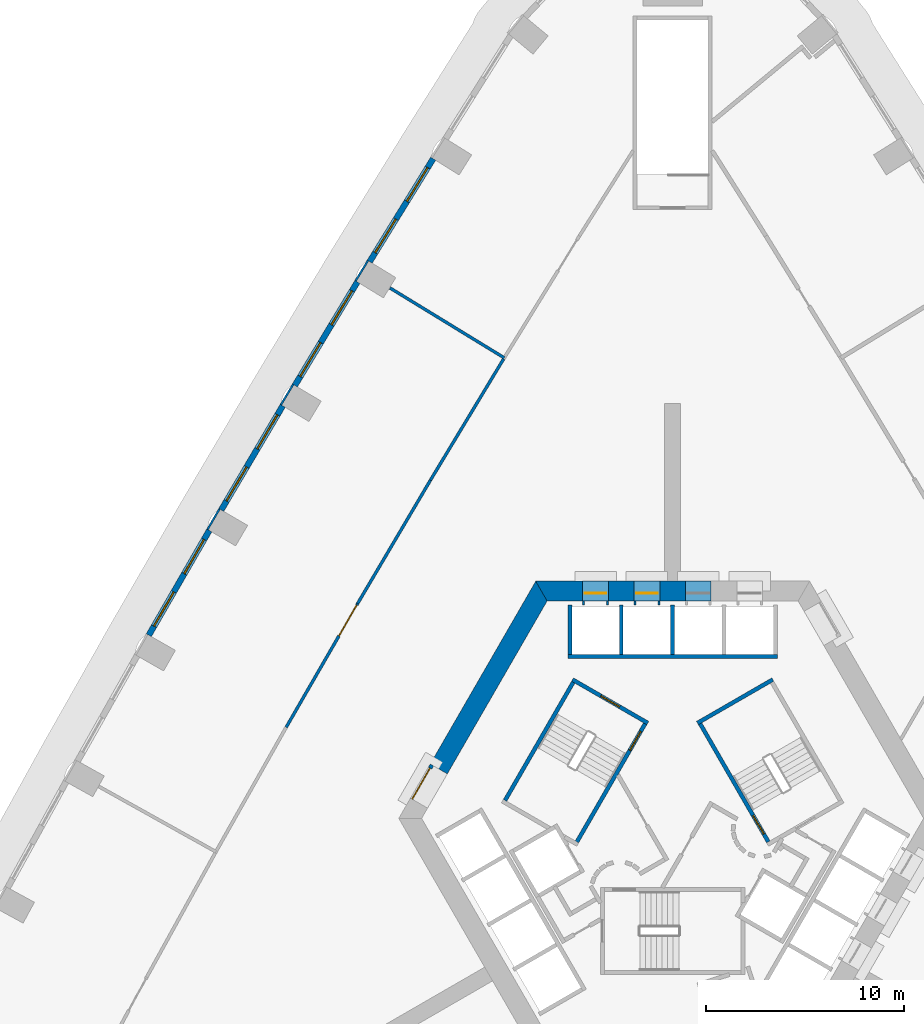
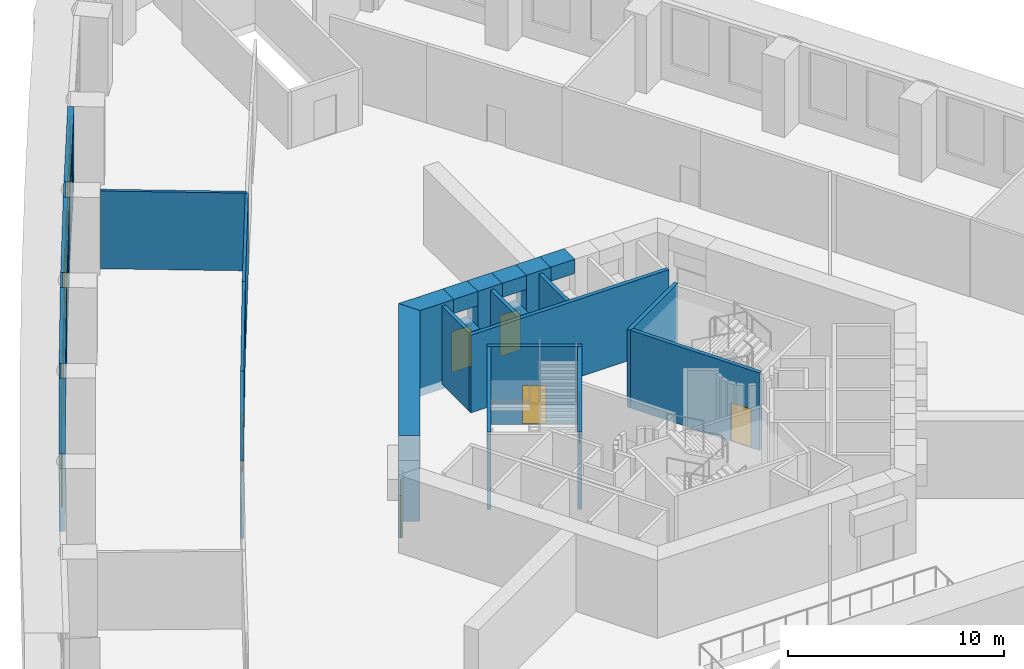
# One storey, part 5 of 15: 30 walls, 8 windows, 7 doors, 15 openings.
"""IFC4 building model written with IfcOpenShell, lengths in metres."""

from ifc_helpers import new_model, si_unit, direction, frame, frame_2d, origin, place, context, subcontext, project, spatial, polyline, rectangle, outline, extrude, material, layer, layer_set, type_object, element, fill, save


model = new_model("IFC4")

# Units and contexts
model_context = context("Model", 3, precision=1e-05, world=origin(), true_north=direction((0.0, 1.0)))
body_context = subcontext(model_context, "Body", "Model", "MODEL_VIEW")
ifc_project = project(units=[si_unit("LENGTHUNIT", "METRE"), si_unit("AREAUNIT", "SQUARE_METRE"), si_unit("VOLUMEUNIT", "CUBIC_METRE"), si_unit("PLANEANGLEUNIT", "RADIAN"), si_unit("MASSUNIT", "GRAM", prefix="KILO")], contexts=[model_context])

# Site, building, storey
site_placement = place(None, origin())
site = spatial("IfcSite", under=ifc_project, at=site_placement, CompositionType="ELEMENT")
building_placement = place(site_placement, origin())
building = spatial("IfcBuilding", under=site, at=building_placement, Name="Entoto Arch Interchange Tower", CompositionType="ELEMENT")
storey_placement = place(building_placement, frame((0.0, 0.0, 30.0)))
storey = spatial("IfcBuildingStorey", under=building, at=storey_placement, Name="L05", CompositionType="ELEMENT", Elevation=30.0)

# Wall, opening, door
ifc_material_1 = material(Name="Reinforced concrete C40/50", Category="concrete")
ifc_layer_1 = layer(ifc_material_1, 0.199951171875)
ifc_layer_set_1 = layer_set([ifc_layer_1], Name="Reinforced concrete C40/50")
wall_type_1 = type_object("IfcWallType", Name="CORE GAP INFILL WALL", PredefinedType="PARTITIONING", material=ifc_layer_set_1)
wall_1_placement = place(storey_placement, frame((-12.179931640625, 5.201904296875, 0.0), z_axis=(0.0, 0.0, 1.0), x_axis=(-0.50002537861, -0.866010750942, 0.0)))
wall_1 = element("IfcWall", 1, at=wall_1_placement, inside=storey, type_object=wall_type_1, Name="wall:L05:gap3", PredefinedType="PARTITIONING", context=body_context, shape_type="SweptSolid", body=[
    extrude(rectangle(XDim=2.0, YDim=0.199951171875, at=frame_2d((1.0, 0.0))), origin(), (0.0, 0.0, 1.0), 2.39990234375),
])
opening_1_placement = place(wall_1_placement, frame((0.18994140625, 0.0, 0.0)))
opening_1 = element("IfcOpeningElement", 2, at=opening_1_placement, cuts=wall_1, Name="Opening L05-D93", PredefinedType="OPENING", context=body_context, shape_type="SweptSolid", body=[
    extrude(rectangle(XDim=1.800048828125, YDim=2.10009765625, at=frame_2d((0.89990234375, 1.050048828125))), frame((0.0, 0.10986328125, 0.0), z_axis=(0.0, -1.0, 0.0), x_axis=(1.0, 0.0, 0.0)), (0.0, 0.0, 1.0), 0.219970703125),
])
ifc_material_2 = material(Name="Fire-rated Steel S235 door and frame", Category="steel")
door_type_1 = type_object("IfcDoorType", Name="DOOR FD-18 1800x2100", OperationType="DOUBLE_DOOR_SINGLE_SWING", PredefinedType="DOOR", material=ifc_material_2)
door_1_placement = place(opening_1_placement, origin())
door_1 = element("IfcDoor", 3, at=door_1_placement, inside=storey, type_object=door_type_1, Name="door:L05:gap3", OperationType="DOUBLE_DOOR_SINGLE_SWING", OverallHeight=2.10009765625, OverallWidth=1.800048828125, PredefinedType="DOOR", context=body_context, shape_type="SweptSolid", body=[
    extrude(rectangle(XDim=1.800048828125, YDim=2.10009765625, at=frame_2d((0.89990234375, 1.050048828125))), frame((0.0, 0.02490234375, 0.0), z_axis=(0.0, -1.0, 0.0), x_axis=(1.0, 0.0, 0.0)), (0.0, 0.0, 1.0), 0.050048828125),
])
fill(opening_1, door_1)

# Walls
ifc_material_3 = material(Name="Concrete C60/75", Category="concrete")
ifc_layer_2 = layer(ifc_material_3, 1.0)
ifc_layer_set_2 = layer_set([ifc_layer_2], Name="Concrete C60/75")
wall_type_2 = type_object("IfcWallType", Name="Core wall 1000 C60/75", PredefinedType="SHEAR", material=ifc_layer_set_2)
wall_2_placement = place(storey_placement, frame((0.0, 0.0, -0.449951171875)))
element("IfcWall", 4, at=wall_2_placement, inside=storey, type_object=wall_type_2, Name="Core wall N L05", PredefinedType="SHEAR", context=body_context, shape_type="SweptSolid", body=[
    extrude(outline(polyline([(-0.64990234375, 14.5), (-0.64990234375, 13.5), (0.64990234375, 13.5), (0.64990234375, 14.5), (-0.64990234375, 14.5)])), origin(), (0.0, 0.0, 1.0), 4.849853515625),
])
wall_3_placement = place(storey_placement, frame((0.0, 0.0, -0.449951171875)))
element("IfcWall", 5, at=wall_3_placement, inside=storey, type_object=wall_type_2, Name="Core wall N L05", PredefinedType="SHEAR", context=body_context, shape_type="SweptSolid", body=[
    extrude(outline(polyline([(-3.25, 14.5), (-3.25, 13.5), (-1.949951171875, 13.5), (-1.949951171875, 14.5), (-3.25, 14.5)])), origin(), (0.0, 0.0, 1.0), 4.849853515625),
])
wall_4_placement = place(storey_placement, frame((0.0, 0.0, -0.449951171875)))
element("IfcWall", 6, at=wall_4_placement, inside=storey, type_object=wall_type_2, Name="Core wall N L05", PredefinedType="SHEAR", context=body_context, shape_type="SweptSolid", body=[
    extrude(outline(polyline([(-4.550048828125, 13.5), (-4.550048828125, 14.5), (-6.927978515625, 14.5), (-6.35107421875, 13.5), (-4.550048828125, 13.5)])), origin(), (0.0, 0.0, 1.0), 4.849853515625),
])
wall_5_placement = place(storey_placement, frame((0.0, 0.0, 3.60009765625)))
element("IfcWall", 7, at=wall_5_placement, inside=storey, type_object=wall_type_2, Name="Core wall lintel N L05", PredefinedType="SHEAR", context=body_context, shape_type="SweptSolid", body=[
    extrude(outline(polyline([(0.64990234375, 14.5), (0.64990234375, 13.5), (1.949951171875, 13.5), (1.949951171875, 14.5), (0.64990234375, 14.5)])), origin(), (0.0, 0.0, 1.0), 0.7998046875),
])
wall_6_placement = place(storey_placement, frame((0.0, 0.0, 3.60009765625)))
element("IfcWall", 8, at=wall_6_placement, inside=storey, type_object=wall_type_2, Name="Core wall lintel N L05", PredefinedType="SHEAR", context=body_context, shape_type="SweptSolid", body=[
    extrude(outline(polyline([(-1.949951171875, 14.5), (-1.949951171875, 13.5), (-0.64990234375, 13.5), (-0.64990234375, 14.5), (-1.949951171875, 14.5)])), origin(), (0.0, 0.0, 1.0), 0.7998046875),
])
wall_7_placement = place(storey_placement, frame((0.0, 0.0, 3.60009765625)))
element("IfcWall", 9, at=wall_7_placement, inside=storey, type_object=wall_type_2, Name="Core wall lintel N L05", PredefinedType="SHEAR", context=body_context, shape_type="SweptSolid", body=[
    extrude(outline(polyline([(-4.550048828125, 14.5), (-4.550048828125, 13.5), (-3.25, 13.5), (-3.25, 14.5), (-4.550048828125, 14.5)])), origin(), (0.0, 0.0, 1.0), 0.7998046875),
])
wall_8_placement = place(storey_placement, frame((0.0, 0.0, -0.449951171875)))
element("IfcWall", 10, at=wall_8_placement, inside=storey, type_object=wall_type_2, Name="Core wall NW L05", PredefinedType="SHEAR", context=body_context, shape_type="SweptSolid", body=[
    extrude(outline(polyline([(-12.26708984375, 5.251953125), (-11.402099609375, 4.751953125), (-6.35107421875, 13.5), (-6.927978515625, 14.5), (-12.26708984375, 5.251953125)])), origin(), (0.0, 0.0, 1.0), 4.849853515625),
])

# Wall, opening, door
ifc_material_4 = material(Name="Concrete C40/50", Category="concrete")
ifc_layer_3 = layer(ifc_material_4, 1.199951171875)
ifc_layer_set_3 = layer_set([ifc_layer_3], Name="Concrete C40/50")
wall_type_3 = type_object("IfcWallType", Name="LIFT LANDING INFILL WALL", PredefinedType="STANDARD", material=ifc_layer_set_3)
wall_9_placement = place(storey_placement, frame((-0.64990234375, 13.89990234375, 0.0), z_axis=(0.0, 0.0, 1.0), x_axis=(-1.0, 0.0, 0.0)))
wall_9 = element("IfcWall", 11, at=wall_9_placement, inside=storey, type_object=wall_type_3, Name="Lift landing infill wall LR3 L05", PredefinedType="STANDARD", context=body_context, shape_type="SweptSolid", body=[
    extrude(rectangle(XDim=1.300048828125, YDim=1.199951171875, at=frame_2d((0.64990234375, 0.0))), origin(), (0.0, 0.0, 1.0), 2.39990234375),
])
opening_2_placement = place(wall_9_placement, frame((0.10009765625, 0.0, 0.0)))
opening_2 = element("IfcOpeningElement", 12, at=opening_2_placement, cuts=wall_9, Name="Opening LD-LR3-L05", PredefinedType="OPENING", context=body_context, shape_type="SweptSolid", body=[
    extrude(rectangle(XDim=1.10009765625, YDim=2.300048828125, at=frame_2d((0.550048828125, 1.14990234375))), frame((0.0, 0.60986328125, 0.0), z_axis=(0.0, -1.0, 0.0), x_axis=(1.0, 0.0, 0.0)), (0.0, 0.0, 1.0), 1.219970703125),
])
ifc_material_5 = material(Name="Stainless steel 1.4301 panels", Category="steel")
door_type_2 = type_object("IfcDoorType", Name="LIFT LANDING DOOR LD2 1100x2300", OperationType="SLIDING_TO_LEFT", PredefinedType="DOOR", material=ifc_material_5)
door_2_placement = place(opening_2_placement, origin())
door_2 = element("IfcDoor", 13, at=door_2_placement, inside=storey, type_object=door_type_2, Name="Lift landing door LR3 L05", OperationType="SLIDING_TO_LEFT", OverallHeight=2.300048828125, OverallWidth=1.10009765625, PredefinedType="DOOR", context=body_context, shape_type="SweptSolid", body=[
    extrude(rectangle(XDim=1.10009765625, YDim=2.300048828125, at=frame_2d((0.550048828125, 1.14990234375))), frame((0.0, 0.02490234375, 0.0), z_axis=(0.0, -1.0, 0.0), x_axis=(1.0, 0.0, 0.0)), (0.0, 0.0, 1.0), 0.050048828125),
])
fill(opening_2, door_2)

wall_10_placement = place(storey_placement, frame((-3.25, 13.89990234375, 0.0), z_axis=(0.0, 0.0, 1.0), x_axis=(-1.0, 0.0, 0.0)))
wall_10 = element("IfcWall", 14, at=wall_10_placement, inside=storey, type_object=wall_type_3, Name="Lift landing infill wall LR4 L05", PredefinedType="STANDARD", context=body_context, shape_type="SweptSolid", body=[
    extrude(rectangle(XDim=1.300048828125, YDim=1.199951171875, at=frame_2d((0.64990234375, 0.0))), origin(), (0.0, 0.0, 1.0), 2.39990234375),
])
opening_3_placement = place(wall_10_placement, frame((0.10009765625, 0.0, 0.0)))
opening_3 = element("IfcOpeningElement", 15, at=opening_3_placement, cuts=wall_10, Name="Opening LD-LR4-L05", PredefinedType="OPENING", context=body_context, shape_type="SweptSolid", body=[
    extrude(rectangle(XDim=1.10009765625, YDim=2.300048828125, at=frame_2d((0.550048828125, 1.14990234375))), frame((0.0, 0.60986328125, 0.0), z_axis=(0.0, -1.0, 0.0), x_axis=(1.0, 0.0, 0.0)), (0.0, 0.0, 1.0), 1.219970703125),
])
door_3_placement = place(opening_3_placement, origin())
door_3 = element("IfcDoor", 16, at=door_3_placement, inside=storey, type_object=door_type_2, Name="Lift landing door LR4 L05", OperationType="SLIDING_TO_LEFT", OverallHeight=2.300048828125, OverallWidth=1.10009765625, PredefinedType="DOOR", context=body_context, shape_type="SweptSolid", body=[
    extrude(rectangle(XDim=1.10009765625, YDim=2.300048828125, at=frame_2d((0.550048828125, 1.14990234375))), frame((0.0, 0.02490234375, 0.0), z_axis=(0.0, -1.0, 0.0), x_axis=(1.0, 0.0, 0.0)), (0.0, 0.0, 1.0), 0.050048828125),
])
fill(opening_3, door_3)

# Walls
ifc_layer_4 = layer(ifc_material_4, 0.199951171875)
ifc_layer_set_4 = layer_set([ifc_layer_4], Name="Concrete C40/50")
wall_type_4 = type_object("IfcWallType", Name="LIFT SHAFT WALL 200", PredefinedType="STANDARD", material=ifc_layer_set_4)
wall_11_placement = place(storey_placement, frame((5.300048828125, 10.699951171875, 0.0), z_axis=(0.0, 0.0, 1.0), x_axis=(-1.0, 0.0, 0.0)))
element("IfcWall", 17, at=wall_11_placement, inside=storey, type_object=wall_type_4, Name="Shaft wall N3 front", PredefinedType="STANDARD", context=body_context, shape_type="SweptSolid", body=[
    extrude(rectangle(XDim=10.60009765625, YDim=0.199951171875, at=frame_2d((5.300048828125, 0.0))), origin(), (0.0, 0.0, 1.0), 4.39990234375),
])
for number, where, z_axis, x_axis, name in (
    (18, (0.0, 10.800048828125, 0.0), (0.0, 0.0, 1.0), (0.0, 1.0, 0.0), "Shaft wall N3 cross 3"),
    (19, (-2.60009765625, 10.800048828125, 0.0), (0.0, 0.0, 1.0), (0.0, 1.0, 0.0), "Shaft wall N3 cross 4"),
    (20, (-5.199951171875, 10.800048828125, 0.0), (0.0, 0.0, 1.0), (0.0, 1.0, 0.0), "Shaft wall N3 cross 5"),
):
    element("IfcWall", number, at=place(storey_placement, frame(where, z_axis=z_axis, x_axis=x_axis)), inside=storey, type_object=wall_type_4, Name=name, PredefinedType="STANDARD", context=body_context, shape_type="SweptSolid", body=[
        extrude(rectangle(XDim=2.5, YDim=0.199951171875, at=frame_2d((1.25, 0.0))), origin(), (0.0, 0.0, 1.0), 4.39990234375),
    ])
ifc_material_6 = material(Name="Gypsum board partition on steel studs", Category="steel")
ifc_layer_5 = layer(ifc_material_6, 0.14990234375)
ifc_layer_set_5 = layer_set([ifc_layer_5], Name="Gypsum board partition on steel studs")
wall_type_5 = type_object("IfcWallType", Name="PARTITION 150", PredefinedType="PARTITIONING", material=ifc_layer_set_5)
wall_12_placement = place(storey_placement, frame((-8.52001953125, 25.803955078125, 0.0), z_axis=(0.0, 0.0, 1.0), x_axis=(-0.85315809523, 0.521652436535, 0.0)))
element("IfcWall", 21, at=wall_12_placement, inside=storey, type_object=wall_type_5, Name="wall:L05:p058", PredefinedType="PARTITIONING", context=body_context, shape_type="SweptSolid", body=[
    extrude(rectangle(XDim=6.780517578125, YDim=0.14990234375, at=frame_2d((3.39013671875, 0.0))), origin(), (0.0, 0.0, 1.0), 4.39990234375),
])
wall_13_placement = place(storey_placement, frame((-8.553955078125, 25.7470703125, 0.0), z_axis=(0.0, 0.0, 1.0), x_axis=(-0.516784275168, -0.85611565395, 0.0)))
element("IfcWall", 22, at=wall_13_placement, inside=storey, type_object=wall_type_5, Name="wall:L05:p062", PredefinedType="PARTITIONING", context=body_context, shape_type="SweptSolid", body=[
    extrude(rectangle(XDim=7.163818359375, YDim=0.14990234375, at=frame_2d((3.58203125, 0.0))), origin(), (0.0, 0.0, 1.0), 4.39990234375),
])
wall_14_placement = place(storey_placement, frame((-12.256103515625, 19.614013671875, 0.0), z_axis=(0.0, 0.0, 1.0), x_axis=(-0.508273674393, -0.861195606073, 0.0)))
element("IfcWall", 23, at=wall_14_placement, inside=storey, type_object=wall_type_5, Name="wall:L05:p063", PredefinedType="PARTITIONING", context=body_context, shape_type="SweptSolid", body=[
    extrude(rectangle(XDim=7.239990234375, YDim=0.14990234375, at=frame_2d((3.6201171875, 0.0))), origin(), (0.0, 0.0, 1.0), 4.39990234375),
])

# Wall, opening, door
wall_15_placement = place(storey_placement, frame((-15.93603515625, 13.37890625, 0.0), z_axis=(0.0, 0.0, 1.0), x_axis=(-0.500075802435, -0.865981634805, 0.0)))
wall_15 = element("IfcWall", 24, at=wall_15_placement, inside=storey, type_object=wall_type_5, Name="wall:L05:p064", PredefinedType="PARTITIONING", context=body_context, shape_type="SweptSolid", body=[
    extrude(rectangle(XDim=7.23681640625, YDim=0.14990234375, at=frame_2d((3.618408203125, 0.0))), origin(), (0.0, 0.0, 1.0), 4.39990234375),
])
opening_4_placement = place(wall_15_placement, frame((0.10009765625, 0.0, 0.0)))
opening_4 = element("IfcOpeningElement", 25, at=opening_4_placement, cuts=wall_15, Name="Opening L05-D08", PredefinedType="OPENING", context=body_context, shape_type="SweptSolid", body=[
    extrude(rectangle(XDim=1.800048828125, YDim=2.10009765625, at=frame_2d((0.89990234375, 1.050048828125))), frame((0.0, 0.0849609375, 0.0), z_axis=(0.0, -1.0, 0.0), x_axis=(1.0, 0.0, 0.0)), (0.0, 0.0, 1.0), 0.169921875),
])
ifc_material_7 = material(Name="Timber door leaf in Steel S235 frame", Category="steel")
door_type_3 = type_object("IfcDoorType", Name="DOOR DD-18 1800x2100", OperationType="DOUBLE_DOOR_SINGLE_SWING", PredefinedType="DOOR", material=ifc_material_7)
door_4_placement = place(opening_4_placement, origin())
door_4 = element("IfcDoor", 26, at=door_4_placement, inside=storey, type_object=door_type_3, Name="door:L05:08", OperationType="DOUBLE_DOOR_SINGLE_SWING", OverallHeight=2.10009765625, OverallWidth=1.800048828125, PredefinedType="DOOR", context=body_context, shape_type="SweptSolid", body=[
    extrude(rectangle(XDim=1.800048828125, YDim=2.10009765625, at=frame_2d((0.89990234375, 1.050048828125))), frame((0.0, 0.02490234375, 0.0), z_axis=(0.0, -1.0, 0.0), x_axis=(1.0, 0.0, 0.0)), (0.0, 0.0, 1.0), 0.050048828125),
])
fill(opening_4, door_4)

# Wall
ifc_layer_6 = layer(ifc_material_4, 0.199951171875)
ifc_layer_set_6 = layer_set([ifc_layer_6], Name="Concrete C40/50")
wall_type_6 = type_object("IfcWallType", Name="STAIR ENCLOSURE WALL 200", PredefinedType="STANDARD", material=ifc_layer_set_6)
wall_16_placement = place(storey_placement, frame((1.256103515625, 7.323974609375, 0.0), z_axis=(0.0, 0.0, 1.0), x_axis=(0.866046073146, 0.499964197906, 0.0)))
element("IfcWall", 27, at=wall_16_placement, inside=storey, type_object=wall_type_6, Name="Stair wall ST-NE far", PredefinedType="STANDARD", context=body_context, shape_type="SweptSolid", body=[
    extrude(rectangle(XDim=4.400146484375, YDim=0.199951171875, at=frame_2d((2.2001953125, 0.0))), origin(), (0.0, 0.0, 1.0), 4.39990234375),
])

# Wall, opening, door
wall_17_placement = place(storey_placement, frame((4.843017578125, 1.31201171875, 0.0), z_axis=(0.0, 0.0, 1.0), x_axis=(-0.499963383562, 0.866046543262, 0.0)))
wall_17 = element("IfcWall", 28, at=wall_17_placement, inside=storey, type_object=wall_type_6, Name="Stair wall ST-NE hall", PredefinedType="STANDARD", context=body_context, shape_type="SweptSolid", body=[
    extrude(rectangle(XDim=6.900390625, YDim=0.199951171875, at=frame_2d((3.4501953125, 0.0))), origin(), (0.0, 0.0, 1.0), 4.39990234375),
])
opening_5_placement = place(wall_17_placement, frame((0.449951171875, 0.0, 0.0)))
opening_5 = element("IfcOpeningElement", 29, at=opening_5_placement, cuts=wall_17, Name="Opening SD-ST-NE-L05", PredefinedType="OPENING", context=body_context, shape_type="SweptSolid", body=[
    extrude(rectangle(XDim=1.10009765625, YDim=2.199951171875, at=frame_2d((0.550048828125, 1.10009765625))), frame((0.0, 0.10986328125, 0.0), z_axis=(0.0, -1.0, 0.0), x_axis=(1.0, 0.0, 0.0)), (0.0, 0.0, 1.0), 0.219970703125),
])
ifc_material_8 = material(Name="Steel S235", Category="steel")
door_type_4 = type_object("IfcDoorType", Name="STAIR DOOR SD1 1100x2200", OperationType="SINGLE_SWING_LEFT", PredefinedType="DOOR", material=ifc_material_8)
door_5_placement = place(opening_5_placement, origin())
door_5 = element("IfcDoor", 30, at=door_5_placement, inside=storey, type_object=door_type_4, Name="Stair door ST-NE L05", OperationType="SINGLE_SWING_LEFT", OverallHeight=2.199951171875, OverallWidth=1.10009765625, PredefinedType="DOOR", context=body_context, shape_type="SweptSolid", body=[
    extrude(rectangle(XDim=1.10009765625, YDim=2.199951171875, at=frame_2d((0.550048828125, 1.10009765625))), frame((0.0, 0.02490234375, 0.0), z_axis=(0.0, -1.0, 0.0), x_axis=(1.0, 0.0, 0.0)), (0.0, 0.0, 1.0), 0.050048828125),
])
fill(opening_5, door_5)

wall_18_placement = place(storey_placement, frame((-1.256103515625, 7.323974609375, 0.0), z_axis=(0.0, 0.0, 1.0), x_axis=(-0.866046073146, 0.499964197906, 0.0)))
wall_18 = element("IfcWall", 31, at=wall_18_placement, inside=storey, type_object=wall_type_6, Name="Stair wall ST-NW near", PredefinedType="STANDARD", context=body_context, shape_type="SweptSolid", body=[
    extrude(rectangle(XDim=4.400146484375, YDim=0.199951171875, at=frame_2d((2.2001953125, 0.0))), origin(), (0.0, 0.0, 1.0), 4.39990234375),
])
opening_6_placement = place(wall_18_placement, frame((1.64990234375, 0.0, 0.0)))
opening_6 = element("IfcOpeningElement", 32, at=opening_6_placement, cuts=wall_18, Name="Opening SD-ST-NW-L05-E", PredefinedType="OPENING", context=body_context, shape_type="SweptSolid", body=[
    extrude(rectangle(XDim=1.10009765625, YDim=2.199951171875, at=frame_2d((0.550048828125, 1.10009765625))), frame((0.0, 0.10986328125, 0.0), z_axis=(0.0, -1.0, 0.0), x_axis=(1.0, 0.0, 0.0)), (0.0, 0.0, 1.0), 0.219970703125),
])
door_6_placement = place(opening_6_placement, origin())
door_6 = element("IfcDoor", 33, at=door_6_placement, inside=storey, type_object=door_type_4, Name="Stair door ST-NW L05 end", OperationType="SINGLE_SWING_LEFT", OverallHeight=2.199951171875, OverallWidth=1.10009765625, PredefinedType="DOOR", context=body_context, shape_type="SweptSolid", body=[
    extrude(rectangle(XDim=1.10009765625, YDim=2.199951171875, at=frame_2d((0.550048828125, 1.10009765625))), frame((0.0, 0.02490234375, 0.0), z_axis=(0.0, -1.0, 0.0), x_axis=(1.0, 0.0, 0.0)), (0.0, 0.0, 1.0), 0.050048828125),
])
fill(opening_6, door_6)

wall_19_placement = place(storey_placement, frame((-1.39306640625, 7.2880859375, 0.0), z_axis=(0.0, 0.0, 1.0), x_axis=(-0.499963383562, -0.866046543262, 0.0)))
wall_19 = element("IfcWall", 34, at=wall_19_placement, inside=storey, type_object=wall_type_6, Name="Stair wall ST-NW hall", PredefinedType="STANDARD", context=body_context, shape_type="SweptSolid", body=[
    extrude(rectangle(XDim=6.900390625, YDim=0.199951171875, at=frame_2d((3.4501953125, 0.0))), origin(), (0.0, 0.0, 1.0), 4.39990234375),
])
opening_7_placement = place(wall_19_placement, frame((0.449951171875, 0.0, 0.0)))
opening_7 = element("IfcOpeningElement", 35, at=opening_7_placement, cuts=wall_19, Name="Opening SD-ST-NW-L05", PredefinedType="OPENING", context=body_context, shape_type="SweptSolid", body=[
    extrude(rectangle(XDim=1.10009765625, YDim=2.199951171875, at=frame_2d((0.550048828125, 1.10009765625))), frame((0.0, 0.10986328125, 0.0), z_axis=(0.0, -1.0, 0.0), x_axis=(1.0, 0.0, 0.0)), (0.0, 0.0, 1.0), 0.219970703125),
])
door_7_placement = place(opening_7_placement, origin())
door_7 = element("IfcDoor", 36, at=door_7_placement, inside=storey, type_object=door_type_4, Name="Stair door ST-NW L05", OperationType="SINGLE_SWING_LEFT", OverallHeight=2.199951171875, OverallWidth=1.10009765625, PredefinedType="DOOR", context=body_context, shape_type="SweptSolid", body=[
    extrude(rectangle(XDim=1.10009765625, YDim=2.199951171875, at=frame_2d((0.550048828125, 1.10009765625))), frame((0.0, 0.02490234375, 0.0), z_axis=(0.0, -1.0, 0.0), x_axis=(1.0, 0.0, 0.0)), (0.0, 0.0, 1.0), 0.050048828125),
])
fill(opening_7, door_7)

# Wall
wall_20_placement = place(storey_placement, frame((-5.030029296875, 9.387939453125, 0.0), z_axis=(0.0, 0.0, 1.0), x_axis=(-0.499978703459, -0.866037698999, 0.0)))
element("IfcWall", 37, at=wall_20_placement, inside=storey, type_object=wall_type_6, Name="Stair wall ST-NW back", PredefinedType="STANDARD", context=body_context, shape_type="SweptSolid", body=[
    extrude(rectangle(XDim=6.900146484375, YDim=0.199951171875, at=frame_2d((3.4501953125, 0.0))), origin(), (0.0, 0.0, 1.0), 4.39990234375),
])

# Wall, openings, windows
ifc_material_9 = material(Name="Welded tuff (ignimbrite) cladding, warm buff", Category="masonry")
ifc_layer_7 = layer(ifc_material_9, 0.300048828125)
ifc_layer_set_7 = layer_set([ifc_layer_7], Name="Welded tuff (ignimbrite) cladding, warm buff")
wall_type_7 = type_object("IfcWallType", Name="STONE INFILL WALL 300", PredefinedType="STANDARD", material=ifc_layer_set_7)
wall_21_placement = place(storey_placement, frame((-12.116943359375, 35.881103515625, 0.0), z_axis=(0.0, 0.0, 1.0), x_axis=(-0.524953701886, -0.85113078365, 0.0)))
wall_21 = element("IfcWall", 38, at=wall_21_placement, inside=storey, type_object=wall_type_7, Name="Facade wall NW-02 L05", PredefinedType="STANDARD", context=body_context, shape_type="SweptSolid", body=[
    extrude(rectangle(XDim=6.12255859375, YDim=0.300048828125, at=frame_2d((3.061279296875, 0.0))), origin(), (0.0, 0.0, 1.0), 4.39990234375),
])
opening_8_placement = place(wall_21_placement, frame((0.531005859375, 0.0, 1.0)))
opening_8 = element("IfcOpeningElement", 39, at=opening_8_placement, cuts=wall_21, Name="Opening WP-E", PredefinedType="OPENING", context=body_context, shape_type="SweptSolid", body=[
    extrude(rectangle(XDim=2.0, YDim=3.199951171875, at=frame_2d((1.0, 1.60009765625))), frame((0.0, 0.16015625, 0.0), z_axis=(0.0, -1.0, 0.0), x_axis=(1.0, 0.0, 0.0)), (0.0, 0.0, 1.0), 0.320068359375),
])
opening_9_placement = place(wall_21_placement, frame((3.592041015625, 0.0, 1.0)))
opening_9 = element("IfcOpeningElement", 40, at=opening_9_placement, cuts=wall_21, Name="Opening WP-E", PredefinedType="OPENING", context=body_context, shape_type="SweptSolid", body=[
    extrude(rectangle(XDim=2.0, YDim=3.199951171875, at=frame_2d((1.0, 1.60009765625))), frame((0.0, 0.16015625, 0.0), z_axis=(0.0, -1.0, 0.0), x_axis=(1.0, 0.0, 0.0)), (0.0, 0.0, 1.0), 0.320068359375),
])
ifc_material_10 = material(Name="Clear glass, low-e double glazed", Category="glass")
window_type = type_object("IfcWindowType", Name="WINDOW WP-E 2000x3200", PartitioningType="DOUBLE_PANEL_VERTICAL", PredefinedType="WINDOW", material=ifc_material_10)
window_1_placement = place(opening_8_placement, origin())
window_1 = element("IfcWindow", 41, at=window_1_placement, inside=storey, type_object=window_type, Name="Window WP-E NW-02 L05", OverallHeight=3.199951171875, OverallWidth=2.0, PartitioningType="SINGLE_PANEL", PredefinedType="WINDOW", context=body_context, shape_type="SweptSolid", body=[
    extrude(rectangle(XDim=2.0, YDim=3.199951171875, at=frame_2d((1.0, 1.60009765625))), frame((0.0, 0.030029296875, 0.0), z_axis=(0.0, -1.0, 0.0), x_axis=(1.0, 0.0, 0.0)), (0.0, 0.0, 1.0), 0.06005859375),
])
fill(opening_8, window_1)
window_2_placement = place(opening_9_placement, origin())
window_2 = element("IfcWindow", 42, at=window_2_placement, inside=storey, type_object=window_type, Name="Window WP-E NW-02 L05", OverallHeight=3.199951171875, OverallWidth=2.0, PartitioningType="SINGLE_PANEL", PredefinedType="WINDOW", context=body_context, shape_type="SweptSolid", body=[
    extrude(rectangle(XDim=2.0, YDim=3.199951171875, at=frame_2d((1.0, 1.60009765625))), frame((0.0, 0.030029296875, 0.0), z_axis=(0.0, -1.0, 0.0), x_axis=(1.0, 0.0, 0.0)), (0.0, 0.0, 1.0), 0.06005859375),
])
fill(opening_9, window_2)

wall_22_placement = place(storey_placement, frame((-15.9541015625, 29.64697265625, 0.0), z_axis=(0.0, 0.0, 1.0), x_axis=(-0.516687651362, -0.85617397235, 0.0)))
wall_22 = element("IfcWall", 43, at=wall_22_placement, inside=storey, type_object=wall_type_7, Name="Facade wall NW-03 L05", PredefinedType="STANDARD", context=body_context, shape_type="SweptSolid", body=[
    extrude(rectangle(XDim=6.121337890625, YDim=0.300048828125, at=frame_2d((3.060546875, 0.0))), origin(), (0.0, 0.0, 1.0), 4.39990234375),
])
opening_10_placement = place(wall_22_placement, frame((0.530029296875, 0.0, 1.0)))
opening_10 = element("IfcOpeningElement", 44, at=opening_10_placement, cuts=wall_22, Name="Opening WP-E", PredefinedType="OPENING", context=body_context, shape_type="SweptSolid", body=[
    extrude(rectangle(XDim=2.0, YDim=3.199951171875, at=frame_2d((1.0, 1.60009765625))), frame((0.0, 0.16015625, 0.0), z_axis=(0.0, -1.0, 0.0), x_axis=(1.0, 0.0, 0.0)), (0.0, 0.0, 1.0), 0.320068359375),
])
opening_11_placement = place(wall_22_placement, frame((3.591064453125, 0.0, 1.0)))
opening_11 = element("IfcOpeningElement", 45, at=opening_11_placement, cuts=wall_22, Name="Opening WP-E", PredefinedType="OPENING", context=body_context, shape_type="SweptSolid", body=[
    extrude(rectangle(XDim=2.0, YDim=3.199951171875, at=frame_2d((1.0, 1.60009765625))), frame((0.0, 0.16015625, 0.0), z_axis=(0.0, -1.0, 0.0), x_axis=(1.0, 0.0, 0.0)), (0.0, 0.0, 1.0), 0.320068359375),
])
window_3_placement = place(opening_10_placement, origin())
window_3 = element("IfcWindow", 46, at=window_3_placement, inside=storey, type_object=window_type, Name="Window WP-E NW-03 L05", OverallHeight=3.199951171875, OverallWidth=2.0, PartitioningType="SINGLE_PANEL", PredefinedType="WINDOW", context=body_context, shape_type="SweptSolid", body=[
    extrude(rectangle(XDim=2.0, YDim=3.199951171875, at=frame_2d((1.0, 1.60009765625))), frame((0.0, 0.030029296875, 0.0), z_axis=(0.0, -1.0, 0.0), x_axis=(1.0, 0.0, 0.0)), (0.0, 0.0, 1.0), 0.06005859375),
])
fill(opening_10, window_3)
window_4_placement = place(opening_11_placement, origin())
window_4 = element("IfcWindow", 47, at=window_4_placement, inside=storey, type_object=window_type, Name="Window WP-E NW-03 L05", OverallHeight=3.199951171875, OverallWidth=2.0, PartitioningType="SINGLE_PANEL", PredefinedType="WINDOW", context=body_context, shape_type="SweptSolid", body=[
    extrude(rectangle(XDim=2.0, YDim=3.199951171875, at=frame_2d((1.0, 1.60009765625))), frame((0.0, 0.030029296875, 0.0), z_axis=(0.0, -1.0, 0.0), x_axis=(1.0, 0.0, 0.0)), (0.0, 0.0, 1.0), 0.06005859375),
])
fill(opening_11, window_4)

wall_23_placement = place(storey_placement, frame((-19.73095703125, 23.376953125, 0.0), z_axis=(0.0, 0.0, 1.0), x_axis=(-0.50834231483, -0.861155091115, 0.0)))
wall_23 = element("IfcWall", 48, at=wall_23_placement, inside=storey, type_object=wall_type_7, Name="Facade wall NW-04 L05", PredefinedType="STANDARD", context=body_context, shape_type="SweptSolid", body=[
    extrude(rectangle(XDim=6.1220703125, YDim=0.300048828125, at=frame_2d((3.06103515625, 0.0))), origin(), (0.0, 0.0, 1.0), 4.39990234375),
])
opening_12_placement = place(wall_23_placement, frame((0.530029296875, 0.0, 1.0)))
opening_12 = element("IfcOpeningElement", 49, at=opening_12_placement, cuts=wall_23, Name="Opening WP-E", PredefinedType="OPENING", context=body_context, shape_type="SweptSolid", body=[
    extrude(rectangle(XDim=2.0, YDim=3.199951171875, at=frame_2d((1.0, 1.60009765625))), frame((0.0, 0.16015625, 0.0), z_axis=(0.0, -1.0, 0.0), x_axis=(1.0, 0.0, 0.0)), (0.0, 0.0, 1.0), 0.320068359375),
])
opening_13_placement = place(wall_23_placement, frame((3.591064453125, 0.0, 1.0)))
opening_13 = element("IfcOpeningElement", 50, at=opening_13_placement, cuts=wall_23, Name="Opening WP-E", PredefinedType="OPENING", context=body_context, shape_type="SweptSolid", body=[
    extrude(rectangle(XDim=2.0, YDim=3.199951171875, at=frame_2d((1.0, 1.60009765625))), frame((0.0, 0.16015625, 0.0), z_axis=(0.0, -1.0, 0.0), x_axis=(1.0, 0.0, 0.0)), (0.0, 0.0, 1.0), 0.320068359375),
])
window_5_placement = place(opening_12_placement, origin())
window_5 = element("IfcWindow", 51, at=window_5_placement, inside=storey, type_object=window_type, Name="Window WP-E NW-04 L05", OverallHeight=3.199951171875, OverallWidth=2.0, PartitioningType="SINGLE_PANEL", PredefinedType="WINDOW", context=body_context, shape_type="SweptSolid", body=[
    extrude(rectangle(XDim=2.0, YDim=3.199951171875, at=frame_2d((1.0, 1.60009765625))), frame((0.0, 0.030029296875, 0.0), z_axis=(0.0, -1.0, 0.0), x_axis=(1.0, 0.0, 0.0)), (0.0, 0.0, 1.0), 0.06005859375),
])
fill(opening_12, window_5)
window_6_placement = place(opening_13_placement, origin())
window_6 = element("IfcWindow", 52, at=window_6_placement, inside=storey, type_object=window_type, Name="Window WP-E NW-04 L05", OverallHeight=3.199951171875, OverallWidth=2.0, PartitioningType="SINGLE_PANEL", PredefinedType="WINDOW", context=body_context, shape_type="SweptSolid", body=[
    extrude(rectangle(XDim=2.0, YDim=3.199951171875, at=frame_2d((1.0, 1.60009765625))), frame((0.0, 0.030029296875, 0.0), z_axis=(0.0, -1.0, 0.0), x_axis=(1.0, 0.0, 0.0)), (0.0, 0.0, 1.0), 0.06005859375),
])
fill(opening_13, window_6)

wall_24_placement = place(storey_placement, frame((-23.447021484375, 17.071044921875, 0.0), z_axis=(0.0, 0.0, 1.0), x_axis=(-0.499939977436, -0.866060055055, 0.0)))
wall_24 = element("IfcWall", 53, at=wall_24_placement, inside=storey, type_object=wall_type_7, Name="Facade wall NW-05 L05", PredefinedType="STANDARD", context=body_context, shape_type="SweptSolid", body=[
    extrude(rectangle(XDim=6.120849609375, YDim=0.300048828125, at=frame_2d((3.060546875, 0.0))), origin(), (0.0, 0.0, 1.0), 4.39990234375),
])
opening_14_placement = place(wall_24_placement, frame((0.530029296875, 0.0, 1.0)))
opening_14 = element("IfcOpeningElement", 54, at=opening_14_placement, cuts=wall_24, Name="Opening WP-E", PredefinedType="OPENING", context=body_context, shape_type="SweptSolid", body=[
    extrude(rectangle(XDim=2.0, YDim=3.199951171875, at=frame_2d((1.0, 1.60009765625))), frame((0.0, 0.16015625, 0.0), z_axis=(0.0, -1.0, 0.0), x_axis=(1.0, 0.0, 0.0)), (0.0, 0.0, 1.0), 0.320068359375),
])
opening_15_placement = place(wall_24_placement, frame((3.591064453125, 0.0, 1.0)))
opening_15 = element("IfcOpeningElement", 55, at=opening_15_placement, cuts=wall_24, Name="Opening WP-E", PredefinedType="OPENING", context=body_context, shape_type="SweptSolid", body=[
    extrude(rectangle(XDim=2.0, YDim=3.199951171875, at=frame_2d((1.0, 1.60009765625))), frame((0.0, 0.16015625, 0.0), z_axis=(0.0, -1.0, 0.0), x_axis=(1.0, 0.0, 0.0)), (0.0, 0.0, 1.0), 0.320068359375),
])
window_7_placement = place(opening_14_placement, origin())
window_7 = element("IfcWindow", 56, at=window_7_placement, inside=storey, type_object=window_type, Name="Window WP-E NW-05 L05", OverallHeight=3.199951171875, OverallWidth=2.0, PartitioningType="SINGLE_PANEL", PredefinedType="WINDOW", context=body_context, shape_type="SweptSolid", body=[
    extrude(rectangle(XDim=2.0, YDim=3.199951171875, at=frame_2d((1.0, 1.60009765625))), frame((0.0, 0.030029296875, 0.0), z_axis=(0.0, -1.0, 0.0), x_axis=(1.0, 0.0, 0.0)), (0.0, 0.0, 1.0), 0.06005859375),
])
fill(opening_14, window_7)
window_8_placement = place(opening_15_placement, origin())
window_8 = element("IfcWindow", 57, at=window_8_placement, inside=storey, type_object=window_type, Name="Window WP-E NW-05 L05", OverallHeight=3.199951171875, OverallWidth=2.0, PartitioningType="SINGLE_PANEL", PredefinedType="WINDOW", context=body_context, shape_type="SweptSolid", body=[
    extrude(rectangle(XDim=2.0, YDim=3.199951171875, at=frame_2d((1.0, 1.60009765625))), frame((0.0, 0.030029296875, 0.0), z_axis=(0.0, -1.0, 0.0), x_axis=(1.0, 0.0, 0.0)), (0.0, 0.0, 1.0), 0.06005859375),
])
fill(opening_15, window_8)

# Walls
ifc_layer_8 = layer(ifc_material_9, 0.10009765625)
ifc_layer_set_8 = layer_set([ifc_layer_8], Name="Welded tuff (ignimbrite) cladding, warm buff")
wall_type_8 = type_object("IfcWallType", Name="STONE PIER CLADDING 100", PredefinedType="STANDARD", material=ifc_layer_set_8)
wall_25_placement = place(storey_placement, frame((-15.4169921875, 30.72412109375, 0.0), z_axis=(0.0, 0.0, 1.0), x_axis=(-0.521507599072, -0.853246637327, 0.0)))
element("IfcWall", 58, at=wall_25_placement, inside=storey, type_object=wall_type_8, Name="Stone pier NW03 L05", PredefinedType="STANDARD", context=body_context, shape_type="SweptSolid", body=[
    extrude(rectangle(XDim=1.200439453125, YDim=0.10009765625, at=frame_2d((0.60009765625, 0.0))), origin(), (0.0, 0.0, 1.0), 4.39990234375),
])
wall_26_placement = place(storey_placement, frame((-19.2041015625, 24.458984375, 0.0), z_axis=(0.0, 0.0, 1.0), x_axis=(-0.513238760752, -0.858245870635, 0.0)))
element("IfcWall", 59, at=wall_26_placement, inside=storey, type_object=wall_type_8, Name="Stone pier NW04 L05", PredefinedType="STANDARD", context=body_context, shape_type="SweptSolid", body=[
    extrude(rectangle(XDim=1.2001953125, YDim=0.10009765625, at=frame_2d((0.60009765625, 0.0))), origin(), (0.0, 0.0, 1.0), 4.39990234375),
])
wall_27_placement = place(storey_placement, frame((-22.930908203125, 18.157958984375, 0.0), z_axis=(0.0, 0.0, 1.0), x_axis=(-0.504313844903, -0.863520437418, 0.0)))
element("IfcWall", 60, at=wall_27_placement, inside=storey, type_object=wall_type_8, Name="Stone pier NW05 L05", PredefinedType="STANDARD", context=body_context, shape_type="SweptSolid", body=[
    extrude(rectangle(XDim=1.19970703125, YDim=0.10009765625, at=frame_2d((0.599853515625, 0.0))), origin(), (0.0, 0.0, 1.0), 4.39990234375),
])

save(model, "model.ifc")
